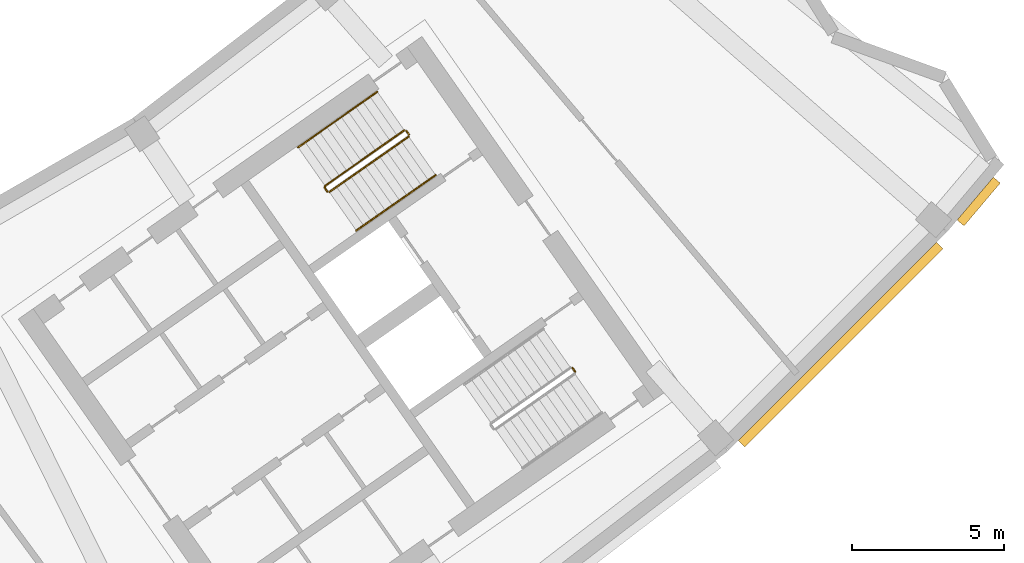
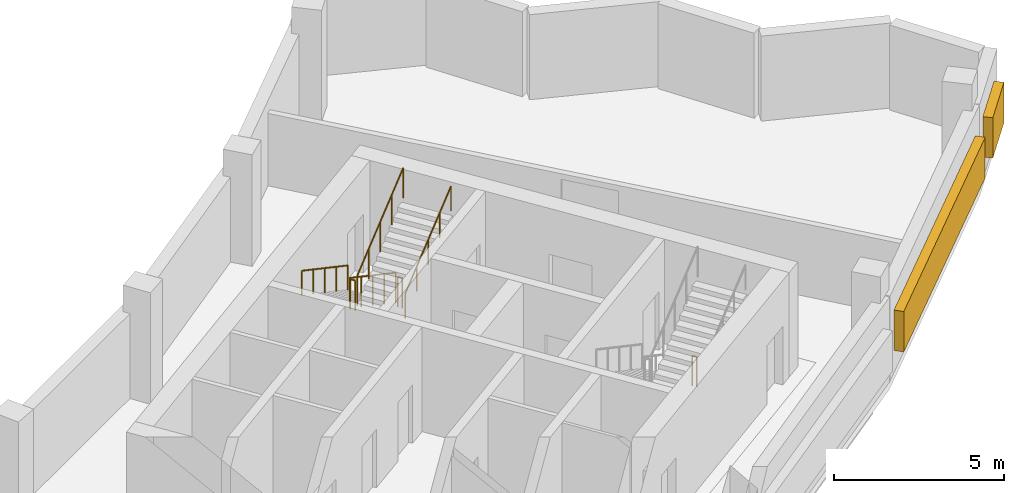
# One storey, part 11 of 11: 6 railings, 2 shading devices.
"""IFC4 building model written with IfcOpenShell, lengths in metres."""

import ifcopenshell
import ifcopenshell.guid

model = None  # the IFC model being written
_history = None  # IfcOwnerHistory: only IFC2X3 demands one
_inside = {}  # id of a spatial element -> (the spatial element, [elements in it])
_under = {}  # id of a project, library or spatial element -> (it, [spatial elements below it])
_declared = {}  # id of a project -> (the project, [libraries it declares])
_typed = {}  # id of a type object -> (the type object, [elements of that type])
_made_of = {}  # id of a material, layer set ... -> (it, [elements and type objects made of it])


def new_model(schema):
    """Start an empty IFC model of exactly this schema.

    Asked for "IFC4X3", IfcOpenShell would pick the latest addendum, in which some entities
    have other attributes; the version numbers below select the first issue.
    IFC2X3 requires an IfcOwnerHistory on every rooted entity: one is made here for all.
    """
    global model, _history
    if schema == "IFC4X3":
        model = ifcopenshell.file(schema_version=(4, 3, 0, 0))
    else:
        model = ifcopenshell.file(schema=schema)
    _inside.clear()
    _under.clear()
    _declared.clear()
    _typed.clear()
    _made_of.clear()
    _history = None
    if model.schema == "IFC2X3":
        org = make("IfcOrganization", Name="unknown")
        user = make(
            "IfcPersonAndOrganization",
            ThePerson=make("IfcPerson", FamilyName="unknown"),
            TheOrganization=org,
        )
        app = make(
            "IfcApplication",
            ApplicationDeveloper=org,
            Version="unknown",
            ApplicationFullName="unknown",
            ApplicationIdentifier="unknown",
        )
        _history = make(
            "IfcOwnerHistory",
            OwningUser=user,
            OwningApplication=app,
            ChangeAction="ADDED",
            CreationDate=0,
        )
    return model


def make(cls, **values):
    """One entity of the class cls with the attributes given. An attribute that is None is left unset."""
    return model.create_entity(
        cls, **{name: value for name, value in values.items() if value is not None}
    )


def rooted(cls, **values):
    """An entity with a GlobalId (a new one), such as an element, a storey or a relation."""
    return make(cls, GlobalId=ifcopenshell.guid.new(), OwnerHistory=_history, **values)


def si_unit(unit_type, name, prefix=None):
    """IfcSIUnit, for example si_unit("LENGTHUNIT", "METRE", prefix="MILLI")."""
    return make("IfcSIUnit", UnitType=unit_type, Prefix=prefix, Name=name)


def assignment(units):
    """IfcUnitAssignment: the units of a project."""
    return None if units is None else make("IfcUnitAssignment", Units=units)


def point(xyz):
    """IfcCartesianPoint."""
    return None if xyz is None else make("IfcCartesianPoint", Coordinates=xyz)


def direction(xyz):
    """IfcDirection."""
    return None if xyz is None else make("IfcDirection", DirectionRatios=xyz)


def frame(location, z_axis=None, x_axis=None):
    """IfcAxis2Placement3D, a coordinate frame: its origin and axes. An axis left out is left unset."""
    return make(
        "IfcAxis2Placement3D",
        Location=point(location),
        Axis=direction(z_axis),
        RefDirection=direction(x_axis),
    )


def frame_2d(location, x_axis=None):
    """IfcAxis2Placement2D, a coordinate frame in the plane: its origin and x axis."""
    return make(
        "IfcAxis2Placement2D", Location=point(location), RefDirection=direction(x_axis)
    )


def origin():
    """The frame at (0, 0, 0) with its axes left unset."""
    return frame((0.0, 0.0, 0.0))


def origin_2d():
    """The frame at (0, 0) in the plane with its x axis left unset."""
    return frame_2d((0.0, 0.0))


def place(relative_to, where):
    """IfcLocalPlacement: puts the frame where relative to a parent placement (None: the world)."""
    return make(
        "IfcLocalPlacement", PlacementRelTo=relative_to, RelativePlacement=where
    )


def context(
    kind, dimensions, precision=None, world=None, true_north=None, identifier=None
):
    """IfcGeometricRepresentationContext, for example the 3D "Model" context."""
    return make(
        "IfcGeometricRepresentationContext",
        ContextIdentifier=identifier,
        ContextType=kind,
        CoordinateSpaceDimension=dimensions,
        Precision=precision,
        WorldCoordinateSystem=world,
        TrueNorth=true_north,
    )


def subcontext(parent, identifier, kind, view, scale=None):
    """IfcGeometricRepresentationSubContext, for example "Body" below "Model"."""
    return make(
        "IfcGeometricRepresentationSubContext",
        ContextIdentifier=identifier,
        ContextType=kind,
        ParentContext=parent,
        TargetScale=scale,
        TargetView=view,
    )


def project(units=None, contexts=None):
    """IfcProject with its units and contexts."""
    return rooted(
        "IfcProject",
        Name="project",
        RepresentationContexts=contexts,
        UnitsInContext=assignment(units),
    )


def spatial(cls, under=None, at=None, **own):
    """A site, building, storey or space (cls), placed at a placement, below another one or the project."""
    s = rooted(cls, ObjectPlacement=at, **own)
    if under is not None:
        _under.setdefault(under.id(), (under, []))[1].append(s)
    return s


def profile(cls, at=None, kind="AREA", **sizes):
    """A parametric profile (cls). Its sizes go by their IFC names, for example OverallWidth=200.0."""
    return make(cls, ProfileType=kind, Position=at, **sizes)


def rectangle(**sizes):
    """IfcRectangleProfileDef."""
    return profile("IfcRectangleProfileDef", **sizes)


def circle(**sizes):
    """IfcCircleProfileDef."""
    return profile("IfcCircleProfileDef", **sizes)


def extrude(swept, where, along, depth):
    """IfcExtrudedAreaSolid: the profile swept, set in the frame where, extruded along a direction by depth."""
    return make(
        "IfcExtrudedAreaSolid",
        SweptArea=swept,
        Position=where,
        ExtrudedDirection=direction(along),
        Depth=depth,
    )


def shape(context_of_items, identifier, shape_type, items):
    """IfcShapeRepresentation: the items that make up one representation, for example the "Body"."""
    return make(
        "IfcShapeRepresentation",
        ContextOfItems=context_of_items,
        RepresentationIdentifier=identifier,
        RepresentationType=shape_type,
        Items=items,
    )


def material(Name=None, Category=None):
    """IfcMaterial."""
    return make("IfcMaterial", Name=Name, Category=Category)


def made_of(thing, what):
    """Note that an element or type object is made of a material, layer set ...; save() writes the relation."""
    if what is not None:
        _made_of.setdefault(what.id(), (what, []))[1].append(thing)
    return thing


def type_object(cls, material=None, **own):
    """A type object (cls), such as IfcWallType, which elements share."""
    return made_of(rooted(cls, **own), material)


def element(
    cls,
    number,
    at=None,
    inside=None,
    cuts=None,
    type_object=None,
    material=None,
    context=None,
    identifier="Body",
    shape_type=None,
    held_by="IfcProductDefinitionShape",
    body=None,
    shapes=None,
    **own,
):
    """One element of the class cls, such as IfcWall. Its Tag is "e" and its number.

    at: its placement. inside: the storey or other place that contains it. cuts: it is an
    opening in that element (IfcRelVoidsElement). A single representation is given by context,
    identifier, shape_type and body (its items); several are given by shapes. held_by: the class
    of the entity that holds the representations. save() writes the other relations.
    """
    e = rooted(cls, Tag="e%d" % number, ObjectPlacement=at, **own)
    if body is not None:
        shapes = [shape(context, identifier, shape_type, body)]
    if shapes is not None:
        e.Representation = make(held_by, Representations=shapes)
    if inside is not None:
        _inside.setdefault(inside.id(), (inside, []))[1].append(e)
    if cuts is not None:
        rooted(
            "IfcRelVoidsElement", RelatingBuildingElement=cuts, RelatedOpeningElement=e
        )
    if type_object is not None:
        _typed.setdefault(type_object.id(), (type_object, []))[1].append(e)
    return made_of(e, material)


def aggregate(whole, parts):
    """IfcRelAggregates: a whole, such as a stair, and the parts it consists of."""
    return rooted("IfcRelAggregates", RelatingObject=whole, RelatedObjects=parts)


def save(model, path):
    """Write the relations noted so far, then the file.

    IfcRelAggregates (storeys below a building ...), IfcRelContainedInSpatialStructure (elements
    in a storey), IfcRelDefinesByType, IfcRelAssociatesMaterial and IfcRelDeclares: one each for
    every whole, place, type object, material and project.
    """
    for whole, parts in _under.values():
        aggregate(whole, parts)
    for where, things in _inside.values():
        rooted(
            "IfcRelContainedInSpatialStructure",
            RelatedElements=things,
            RelatingStructure=where,
        )
    for kind, things in _typed.values():
        rooted("IfcRelDefinesByType", RelatedObjects=things, RelatingType=kind)
    for what, things in _made_of.values():
        rooted("IfcRelAssociatesMaterial", RelatedObjects=things, RelatingMaterial=what)
    for by, libraries in _declared.values():
        rooted("IfcRelDeclares", RelatingContext=by, RelatedDefinitions=libraries)
    model.write(path)


model = new_model("IFC4")

# Units and contexts
model_context = context("Model", 3, precision=1e-05, world=origin(), true_north=direction((0.0, 1.0)))
body_context = subcontext(model_context, "Body", "Model", "MODEL_VIEW")
ifc_project = project(units=[si_unit("LENGTHUNIT", "METRE"), si_unit("AREAUNIT", "SQUARE_METRE"), si_unit("VOLUMEUNIT", "CUBIC_METRE"), si_unit("PLANEANGLEUNIT", "RADIAN"), si_unit("MASSUNIT", "GRAM", prefix="KILO")], contexts=[model_context])

# Site, building, storey
site_placement = place(None, origin())
site = spatial("IfcSite", under=ifc_project, at=site_placement, CompositionType="ELEMENT")
building_placement = place(site_placement, origin())
building = spatial("IfcBuilding", under=site, at=building_placement, Name="Qamariyya Broadcast Tower", CompositionType="ELEMENT")
storey_placement = place(building_placement, frame((0.0, 0.0, 294.699951171875)))
storey = spatial("IfcBuildingStorey", under=building, at=storey_placement, Name="L71", CompositionType="ELEMENT", Elevation=294.699951171875)

# Railings
ifc_material_1 = material(Name="Painted steel", Category="steel")
railing_type_1 = type_object("IfcRailingType", Name="Stair guard", PredefinedType="GUARDRAIL", material=ifc_material_1)
railing_1_placement = place(storey_placement, frame((41.003173828125, -48.320068359375, 0.166748046875)))
element("IfcRailing", 1, at=railing_1_placement, inside=storey, type_object=railing_type_1, Name="L71 ST-E2 stair guard 1", PredefinedType="GUARDRAIL", context=body_context, shape_type="SweptSolid", body=[
    extrude(circle(Radius=0.02392578125, at=origin_2d()), frame((0.0, 0.0, 1.076171875), z_axis=(-0.710204256923, -0.497335411159, 0.498264389913), x_axis=(0.573611290809, -0.819127637829, 0.0)), (0.0, 0.0, 1.0), 3.67919921875),
    extrude(circle(Radius=0.02392578125, at=origin_2d()), frame((-2.613037109375, -1.829833984375, 2.9091796875), z_axis=(-0.172799478008, -0.984957024646, 0.0), x_axis=(0.984957024646, -0.172799478008, 0.0)), (0.0, 0.0, 1.0), 0.070556640625),
    extrude(circle(Radius=0.02392578125, at=origin_2d()), frame((-2.625244140625, -1.8994140625, 2.9091796875), z_axis=(0.573353020881, -0.819308436089, 0.0), x_axis=(0.819308436089, 0.573353020881, 0.0)), (0.0, 0.0, 1.0), 0.14990234375),
    extrude(circle(Radius=0.02099609375, at=origin_2d()), origin(), (0.0, 0.0, 1.0), 1.052001953125),
    extrude(circle(Radius=0.02099609375, at=origin_2d()), frame((-0.6533203125, -0.45751953125, 0.458251953125)), (0.0, 0.0, 1.0), 1.052001953125),
    extrude(circle(Radius=0.02099609375, at=origin_2d()), frame((-1.306640625, -0.9150390625, 0.91650390625)), (0.0, 0.0, 1.0), 1.052001953125),
    extrude(circle(Radius=0.02099609375, at=origin_2d()), frame((-1.959716796875, -1.372314453125, 1.375)), (0.0, 0.0, 1.0), 1.052001953125),
    extrude(circle(Radius=0.02099609375, at=origin_2d()), frame((-2.613037109375, -1.829833984375, 1.833251953125)), (0.0, 0.0, 1.0), 1.052001953125),
    extrude(circle(Radius=0.02099609375, at=origin_2d()), frame((-2.625244140625, -1.8994140625, 1.833251953125)), (0.0, 0.0, 1.0), 1.052001953125),
    extrude(circle(Radius=0.02099609375, at=origin_2d()), frame((-2.539306640625, -2.022216796875, 1.833251953125)), (0.0, 0.0, 1.0), 1.052001953125),
])
railing_2_placement = place(storey_placement, frame((38.53369140625, -50.3544921875, 2.166748046875)))
element("IfcRailing", 2, at=railing_2_placement, inside=storey, type_object=railing_type_1, Name="L71 ST-E2 stair guard 2", PredefinedType="GUARDRAIL", context=body_context, shape_type="SweptSolid", body=[
    extrude(circle(Radius=0.02392578125, at=origin_2d()), frame((0.0, 0.0, 1.076171875), z_axis=(0.710227693972, 0.497285465629, 0.498280832854), x_axis=(-0.573559936391, 0.819163597438, 0.0)), (0.0, 0.0, 1.0), 3.67919921875),
    extrude(circle(Radius=0.02099609375, at=origin_2d()), origin(), (0.0, 0.0, 1.0), 1.052001953125),
    extrude(circle(Radius=0.02099609375, at=origin_2d()), frame((0.6533203125, 0.45751953125, 0.458251953125)), (0.0, 0.0, 1.0), 1.052001953125),
    extrude(circle(Radius=0.02099609375, at=origin_2d()), frame((1.306640625, 0.914794921875, 0.91650390625)), (0.0, 0.0, 1.0), 1.052001953125),
    extrude(circle(Radius=0.02099609375, at=origin_2d()), frame((1.959716796875, 1.3720703125, 1.375)), (0.0, 0.0, 1.0), 1.052001953125),
    extrude(circle(Radius=0.02099609375, at=origin_2d()), frame((2.613037109375, 1.82958984375, 1.833251953125)), (0.0, 0.0, 1.0), 1.052001953125),
])
railing_3_placement = place(storey_placement, frame((41.072998046875, -48.332275390625, 0.0)))
element("IfcRailing", 3, at=railing_3_placement, inside=storey, type_object=railing_type_1, Name="L71 ST-E2 stair guard 3", PredefinedType="GUARDRAIL", context=body_context, shape_type="SweptSolid", body=[
    extrude(circle(Radius=0.02392578125, at=origin_2d()), frame((0.0, 0.0, 1.076171875), z_axis=(0.572588637393, -0.819842821722, 0.0), x_axis=(0.819842821722, 0.572588637393, 0.0)), (0.0, 0.0, 1.0), 0.150146484375),
    extrude(circle(Radius=0.02099609375, at=origin_2d()), origin(), (0.0, 0.0, 1.0), 1.052001953125),
    extrude(circle(Radius=0.02099609375, at=origin_2d()), frame((0.0859375, -0.123046875, 0.0)), (0.0, 0.0, 1.0), 1.052001953125),
])
railing_4_placement = place(storey_placement, frame((46.550537109375, -56.1552734375, 0.0)))
element("IfcRailing", 4, at=railing_4_placement, inside=storey, type_object=railing_type_1, Name="L71 ST-E1 stair guard 3", PredefinedType="GUARDRAIL", context=body_context, shape_type="SweptSolid", body=[
    extrude(circle(Radius=0.02392578125, at=origin_2d()), frame((0.0, 0.0, 1.076171875), z_axis=(0.574444878118, -0.818543268254, 0.0), x_axis=(0.818543268254, 0.574444878118, 0.0)), (0.0, 0.0, 1.0), 0.150146484375),
    extrude(circle(Radius=0.02099609375, at=origin_2d()), origin(), (0.0, 0.0, 1.0), 1.052001953125),
    extrude(circle(Radius=0.02099609375, at=origin_2d()), frame((0.086181640625, -0.122802734375, 0.0)), (0.0, 0.0, 1.0), 1.052001953125),
])
ifc_material_2 = material(Name="Stainless steel", Category="steel")
railing_type_2 = type_object("IfcRailingType", Name="Stair handrail", PredefinedType="HANDRAIL", material=ifc_material_2)
railing_5_placement = place(storey_placement, frame((40.1142578125, -47.05029296875, 0.166748046875)))
element("IfcRailing", 5, at=railing_5_placement, inside=storey, type_object=railing_type_2, Name="L71 ST-E2 stair handrail 1", PredefinedType="HANDRAIL", context=body_context, shape_type="SweptSolid", body=[
    extrude(circle(Radius=0.02392578125, at=origin_2d()), frame((0.0, 0.0, 0.8759765625), z_axis=(-0.710204256923, -0.497335411159, 0.498264389913), x_axis=(0.573611290809, -0.819127637829, 0.0)), (0.0, 0.0, 1.0), 3.67919921875),
    extrude(circle(Radius=0.02099609375, at=origin_2d()), origin(), (0.0, 0.0, 1.0), 0.851806640625),
    extrude(circle(Radius=0.02099609375, at=origin_2d()), frame((-0.6533203125, -0.45751953125, 0.458251953125)), (0.0, 0.0, 1.0), 0.851806640625),
    extrude(circle(Radius=0.02099609375, at=origin_2d()), frame((-1.306640625, -0.9150390625, 0.91650390625)), (0.0, 0.0, 1.0), 0.851806640625),
    extrude(circle(Radius=0.02099609375, at=origin_2d()), frame((-1.959716796875, -1.372314453125, 1.375)), (0.0, 0.0, 1.0), 0.851806640625),
    extrude(circle(Radius=0.02099609375, at=origin_2d()), frame((-2.613037109375, -1.829833984375, 1.833251953125)), (0.0, 0.0, 1.0), 0.851806640625),
])
railing_6_placement = place(storey_placement, frame((39.422607421875, -51.624267578125, 2.166748046875)))
element("IfcRailing", 6, at=railing_6_placement, inside=storey, type_object=railing_type_2, Name="L71 ST-E2 stair handrail 2", PredefinedType="HANDRAIL", context=body_context, shape_type="SweptSolid", body=[
    extrude(circle(Radius=0.02392578125, at=origin_2d()), frame((0.0, 0.0, 0.8759765625), z_axis=(0.710204256923, 0.497335411159, 0.498264389913), x_axis=(-0.573611290809, 0.819127637829, 0.0)), (0.0, 0.0, 1.0), 3.67919921875),
    extrude(circle(Radius=0.02099609375, at=origin_2d()), origin(), (0.0, 0.0, 1.0), 0.851806640625),
    extrude(circle(Radius=0.02099609375, at=origin_2d()), frame((0.6533203125, 0.45751953125, 0.458251953125)), (0.0, 0.0, 1.0), 0.851806640625),
    extrude(circle(Radius=0.02099609375, at=origin_2d()), frame((1.306640625, 0.9150390625, 0.91650390625)), (0.0, 0.0, 1.0), 0.851806640625),
    extrude(circle(Radius=0.02099609375, at=origin_2d()), frame((1.959716796875, 1.372314453125, 1.375)), (0.0, 0.0, 1.0), 0.851806640625),
    extrude(circle(Radius=0.02099609375, at=origin_2d()), frame((2.613037109375, 1.829833984375, 1.833251953125)), (0.0, 0.0, 1.0), 0.851806640625),
])

# Shading devices
ifc_material_3 = material(Name="Glazed terracotta", Category="masonry")
shading_device_type = type_object("IfcShadingDeviceType", Name="Terracotta louvre bank", PredefinedType="USERDEFINED", material=ifc_material_3)
shading_device_1_placement = place(storey_placement, frame((55.38916015625, -55.38916015625, 0.80029296875), z_axis=(0.0, 0.0, 1.0), x_axis=(0.707106781187, 0.707106781187, 0.0)))
element("IfcShadingDevice", 7, at=shading_device_1_placement, inside=storey, type_object=shading_device_type, Name="e-lv-L71-13", ObjectType="LOUVRE", PredefinedType="USERDEFINED", context=body_context, shape_type="SweptSolid", body=[
    extrude(rectangle(XDim=9.248779296875, YDim=0.300048828125, at=origin_2d()), origin(), (0.0, 0.0, 1.0), 1.449951171875),
])
shading_device_2_placement = place(storey_placement, frame((59.94140625, -50.66796875, 0.80029296875), z_axis=(0.0, 0.0, 1.0), x_axis=(0.645559567332, 0.763709922042, 0.0)))
element("IfcShadingDevice", 8, at=shading_device_2_placement, inside=storey, type_object=shading_device_type, Name="e-lv-L71-14", ObjectType="LOUVRE", PredefinedType="USERDEFINED", context=body_context, shape_type="SweptSolid", body=[
    extrude(rectangle(XDim=1.8505859375, YDim=0.300048828125, at=origin_2d()), origin(), (0.0, 0.0, 1.0), 1.449951171875),
])

save(model, "model.ifc")
